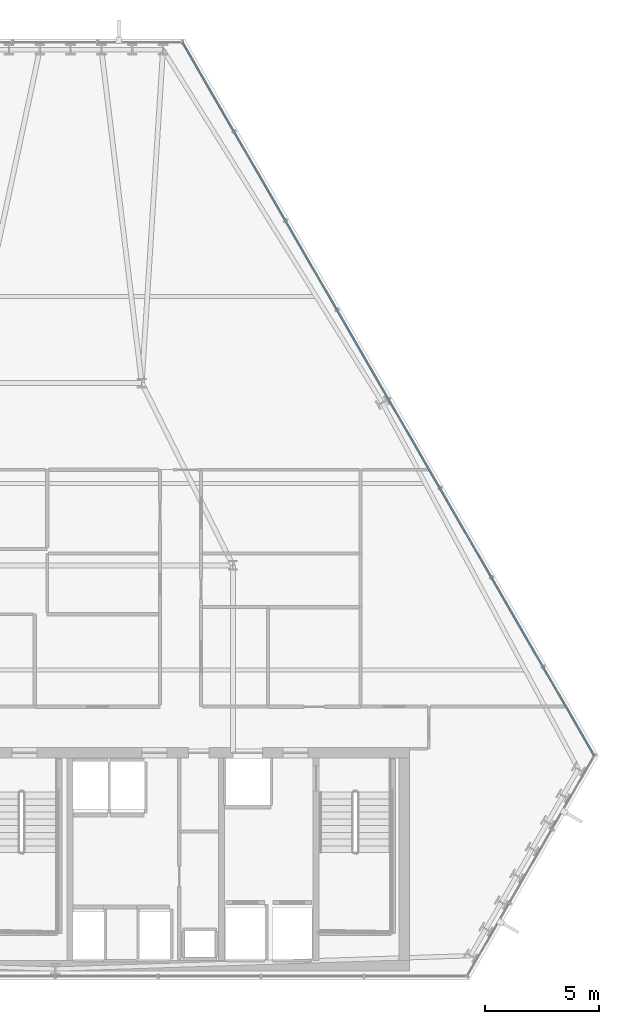
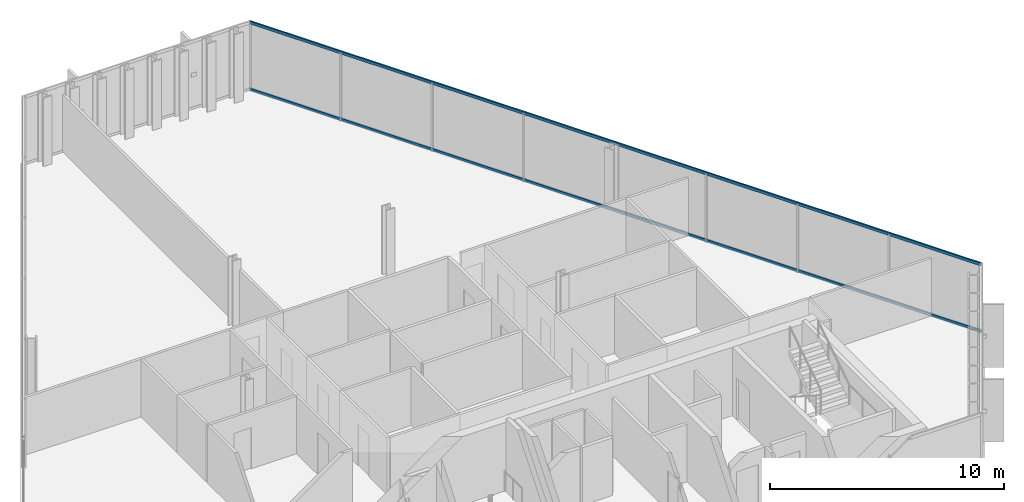
# One storey, part 19 of 33: 2 members, 1 element without a shape of its own.
"""IFC4 building model written with IfcOpenShell, lengths in metres."""

from ifc_helpers import new_model, si_unit, direction, frame, origin, origin_2d, place, context, subcontext, project, spatial, hollow_rectangle, extrude, material, layer, layer_set, material_profile, profile_set, type_object, element, aggregate, save


model = new_model("IFC4")

# Units and contexts
model_context = context("Model", 3, precision=1e-05, world=origin(), true_north=direction((0.0, 1.0)))
body_context = subcontext(model_context, "Body", "Model", "MODEL_VIEW")
ifc_project = project(units=[si_unit("LENGTHUNIT", "METRE"), si_unit("AREAUNIT", "SQUARE_METRE"), si_unit("VOLUMEUNIT", "CUBIC_METRE"), si_unit("PLANEANGLEUNIT", "RADIAN"), si_unit("MASSUNIT", "GRAM", prefix="KILO")], contexts=[model_context])

# Site, building, storey
site_placement = place(None, origin())
site = spatial("IfcSite", under=ifc_project, at=site_placement, CompositionType="ELEMENT")
building_placement = place(site_placement, origin())
building = spatial("IfcBuilding", under=site, at=building_placement, Name="Ndaravel Arena Tower", CompositionType="ELEMENT")
storey_placement = place(building_placement, frame((0.0, 0.0, 153.60009765625)))
storey = spatial("IfcBuildingStorey", under=building, at=storey_placement, Name="L36", CompositionType="ELEMENT", Elevation=153.60009765625)

# Curtain wall, members
ifc_material_1 = material(Name="Aluminium", Category="aluminium")
ifc_layer = layer(ifc_material_1, 0.179931640625)
ifc_layer_set = layer_set([ifc_layer], Name="Aluminium")
curtain_wall_type = type_object("IfcCurtainWallType", Name="CW-SYS-03", PredefinedType="NOTDEFINED", material=ifc_layer_set)
curtain_wall_placement = place(storey_placement, origin())
curtain_wall = element("IfcCurtainWall", 1, at=curtain_wall_placement, inside=storey, type_object=curtain_wall_type, Name="L36 Faceted Crystal Curtain Wall CW-L36-E03", PredefinedType="NOTDEFINED")
ifc_material_2 = material(Name="Aluminium", Category="aluminium")
ifc_material_profile = material_profile(ifc_material_2, hollow_rectangle(XDim=0.074951171875, YDim=0.14990234375, WallThickness=0.00390625, at=origin_2d()), Name="CW TRANSOM 75x150x4")
ifc_profile_set = profile_set([ifc_material_profile], Name="Aluminium")
member_type = type_object("IfcMemberType", Name="MEM-CW-TRN150", PredefinedType="USERDEFINED", material=ifc_profile_set)
member_1_placement = place(storey_placement, frame((65.667724609375, 14.845458984375, 0.039794921875), z_axis=(-0.500000905754, 0.866024880846, 0.0), x_axis=(-0.866024880846, -0.500000905754, 0.0)))
member_1 = element("IfcMember", 2, at=member_1_placement, type_object=member_type, Name="CW-L36-E03 Transom 01", ObjectType="TRANSOM", PredefinedType="USERDEFINED", context=body_context, shape_type="SweptSolid", body=[
    extrude(hollow_rectangle(XDim=0.074951171875, YDim=0.14990234375, WallThickness=0.00390625, at=origin_2d()), origin(), (0.0, 0.0, 1.0), 36.15185546875),
])
member_2_placement = place(storey_placement, frame((65.667724609375, 14.845458984375, 3.539794921875), z_axis=(-0.500000905754, 0.866024880846, 0.0), x_axis=(-0.866024880846, -0.500000905754, 0.0)))
member_2 = element("IfcMember", 3, at=member_2_placement, type_object=member_type, Name="CW-L36-E03 Transom 02", ObjectType="TRANSOM", PredefinedType="USERDEFINED", context=body_context, shape_type="SweptSolid", body=[
    extrude(hollow_rectangle(XDim=0.074951171875, YDim=0.14990234375, WallThickness=0.00390625, at=origin_2d()), origin(), (0.0, 0.0, 1.0), 36.15185546875),
])
aggregate(curtain_wall, [member_1, member_2])

save(model, "model.ifc")
